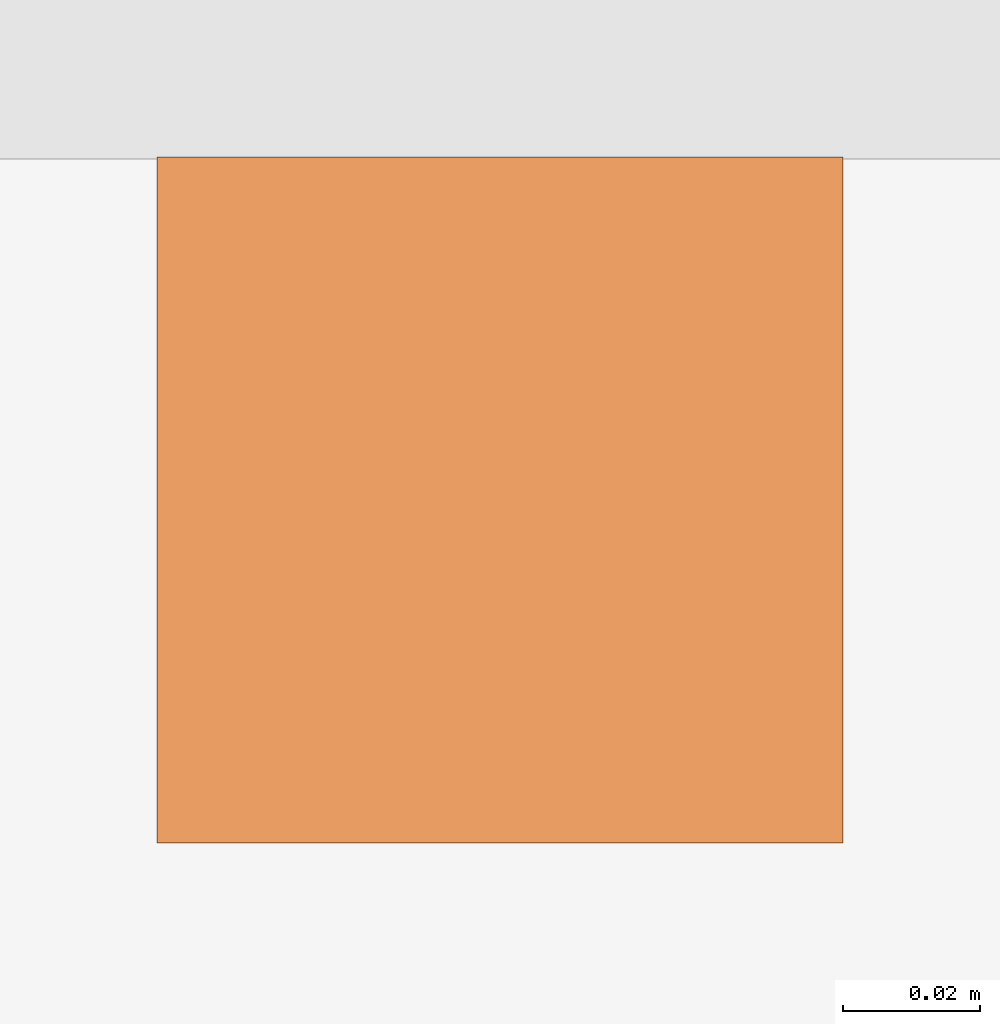
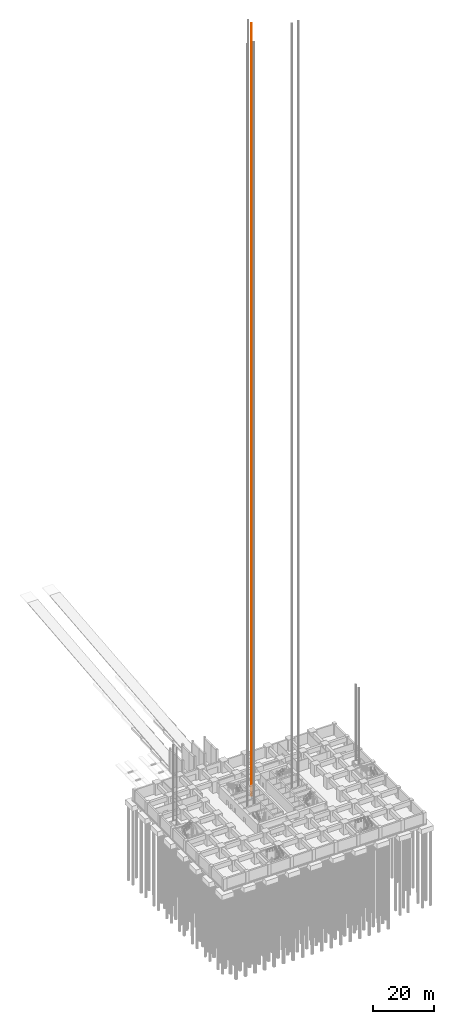
# One storey, part 25 of 28: 1 proxy.
"""IFC4 building model written with IfcOpenShell, lengths in metres."""

from ifc_helpers import new_model, si_unit, direction, frame, origin, origin_2d, place, context, subcontext, project, spatial, rectangle, extrude, material, type_object, element, save


model = new_model("IFC4")

# Units and contexts
model_context = context("Model", 3, precision=1e-05, world=origin(), true_north=direction((0.0, 1.0)))
body_context = subcontext(model_context, "Body", "Model", "MODEL_VIEW")
ifc_project = project(units=[si_unit("LENGTHUNIT", "METRE"), si_unit("AREAUNIT", "SQUARE_METRE"), si_unit("VOLUMEUNIT", "CUBIC_METRE"), si_unit("PLANEANGLEUNIT", "RADIAN"), si_unit("MASSUNIT", "GRAM", prefix="KILO")], contexts=[model_context])

# Site, building, storey
site_placement = place(None, origin())
site = spatial("IfcSite", under=ifc_project, at=site_placement, CompositionType="ELEMENT")
building_placement = place(site_placement, origin())
building = spatial("IfcBuilding", under=site, at=building_placement, Name="Rekha Terrace Tower", CompositionType="ELEMENT")
storey_placement = place(building_placement, frame((0.0, 0.0, -9.89990234375)))
storey = spatial("IfcBuildingStorey", under=building, at=storey_placement, Name="B-02", CompositionType="ELEMENT", Elevation=-9.89990234375)

# Proxy
ifc_material = material(Name="Steel guide rail", Category="steel")
building_element_proxy_type = type_object("IfcBuildingElementProxyType", Name="LR1 100 lift guide rail", PredefinedType="ELEMENT", material=ifc_material)
proxy_placement = place(storey_placement, frame((34.449951171875, 41.800048828125, 0.0), z_axis=(0.0, 0.0, 1.0), x_axis=(1.0, 0.0, 0.0)))
element("IfcBuildingElementProxy", 1, at=proxy_placement, inside=storey, type_object=building_element_proxy_type, Name="Lift SV1 guide rail 1", PredefinedType="ELEMENT", context=body_context, shape_type="SweptSolid", body=[
    extrude(rectangle(XDim=0.10009765625, YDim=0.10009765625, at=origin_2d()), origin(), (0.0, 0.0, 1.0), 309.050048828125),
])

save(model, "model.ifc")
